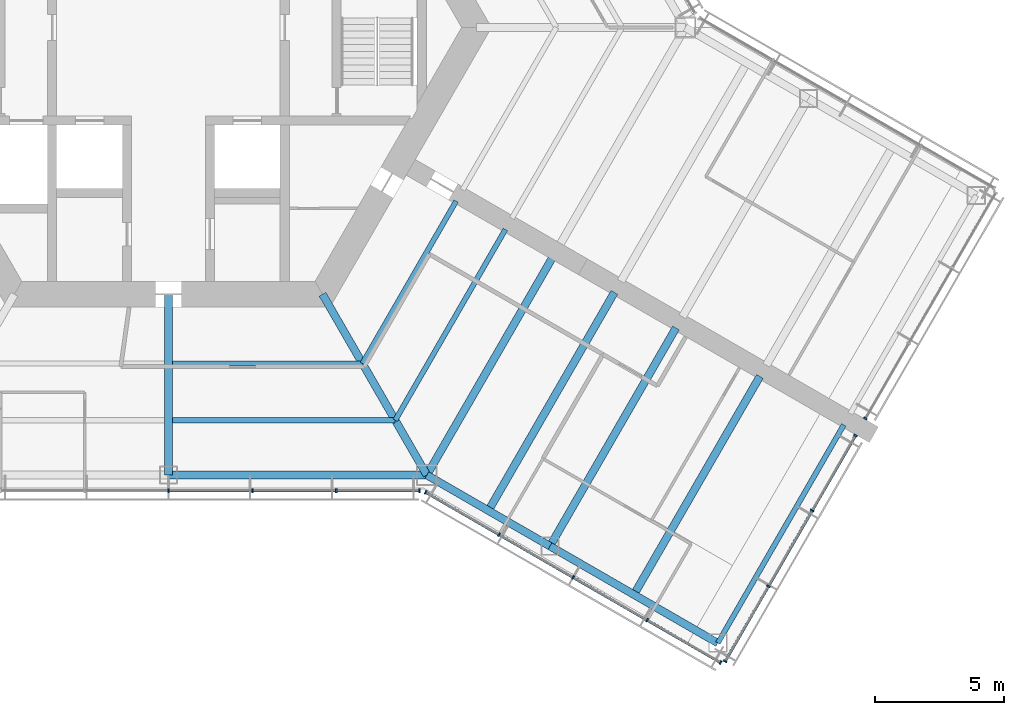
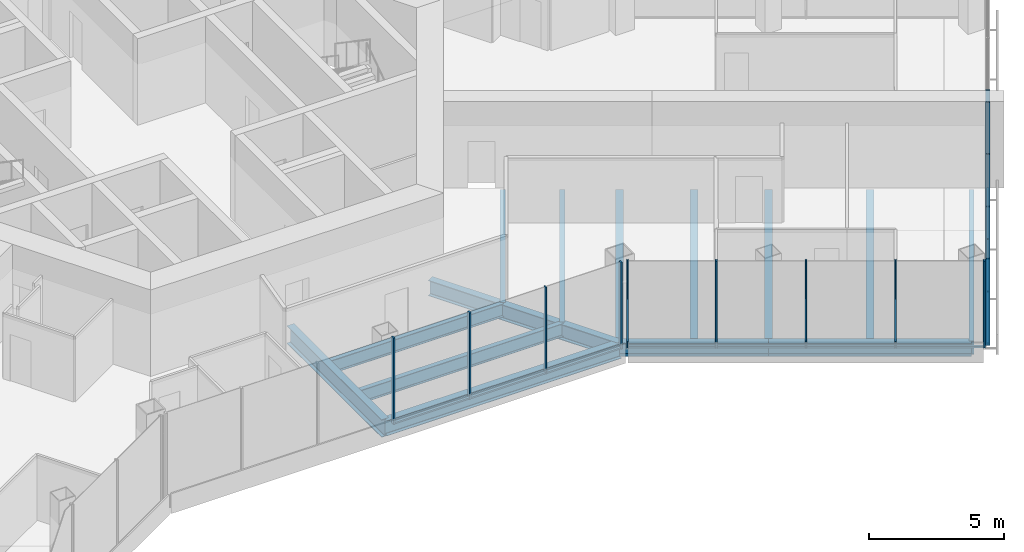
# One storey, part 5 of 18: 24 members, 14 beams, 4 elements without a shape of their own.
"""IFC4 building model written with IfcOpenShell, lengths in metres."""

from ifc_helpers import new_model, si_unit, direction, frame, origin, origin_2d, place, context, subcontext, project, spatial, rectangle, i_section, extrude, material, material_profile, profile_set, type_object, element, aggregate, save


model = new_model("IFC4")

# Units and contexts
model_context = context("Model", 3, precision=1e-05, world=origin(), true_north=direction((0.0, 1.0)))
body_context = subcontext(model_context, "Body", "Model", "MODEL_VIEW")
ifc_project = project(units=[si_unit("LENGTHUNIT", "METRE"), si_unit("AREAUNIT", "SQUARE_METRE"), si_unit("VOLUMEUNIT", "CUBIC_METRE"), si_unit("PLANEANGLEUNIT", "RADIAN"), si_unit("MASSUNIT", "GRAM", prefix="KILO")], contexts=[model_context])

# Site, building, storey
site_placement = place(None, origin())
site = spatial("IfcSite", under=ifc_project, at=site_placement, CompositionType="ELEMENT")
building_placement = place(site_placement, origin())
building = spatial("IfcBuilding", under=site, at=building_placement, Name="Kasaneha Research Tower", CompositionType="ELEMENT")
storey_placement = place(building_placement, frame((0.0, 0.0, 195.5)))
storey = spatial("IfcBuildingStorey", under=building, at=storey_placement, Name="L49", CompositionType="ELEMENT", Elevation=195.5)

# Beams
ifc_material_1 = material(Name="Steel SN490B", Category="steel")
ifc_material_profile_1 = material_profile(ifc_material_1, i_section(OverallWidth=0.199951171875, OverallDepth=0.60009765625, WebThickness=0.010986328125, FlangeThickness=0.01708984375, FilletRadius=0.012939453125, at=origin_2d()), Name="H-600x200x11x17")
ifc_profile_set_1 = profile_set([ifc_material_profile_1], Name="Steel SN490B")
beam_type_1 = type_object("IfcBeamType", Name="B1-3 secondary beam H-600x200x11x17", PredefinedType="JOIST", material=ifc_profile_set_1)
beam_1_placement = place(storey_placement, frame((7.505615234375, -13.0, -0.449951171875), z_axis=(-1.0, 0.0, 0.0), x_axis=(0.0, -1.0, 0.0)))
element("IfcBeam", 1, at=beam_1_placement, inside=storey, type_object=beam_type_1, Name="Secondary beam RS270R1 L49", PredefinedType="JOIST", context=body_context, shape_type="SweptSolid", body=[
    extrude(i_section(OverallWidth=0.199951171875, OverallDepth=0.60009765625, WebThickness=0.010986328125, FlangeThickness=0.01708984375, FilletRadius=0.012939453125, at=origin_2d()), origin(), (0.0, 0.0, 1.0), 7.355712890625),
])
beam_2_placement = place(storey_placement, frame((8.775634765625, -15.199951171875, -0.449951171875), z_axis=(-1.0, 0.0, 0.0), x_axis=(0.0, -1.0, 0.0)))
element("IfcBeam", 2, at=beam_2_placement, inside=storey, type_object=beam_type_1, Name="Secondary beam RS270R2 L49", PredefinedType="JOIST", context=body_context, shape_type="SweptSolid", body=[
    extrude(i_section(OverallWidth=0.199951171875, OverallDepth=0.60009765625, WebThickness=0.010986328125, FlangeThickness=0.01708984375, FilletRadius=0.012939453125, at=origin_2d()), origin(), (0.0, 0.0, 1.0), 8.625732421875),
])
beam_3_placement = place(storey_placement, frame((7.505615234375, -13.0, -0.449951171875), z_axis=(0.499993340521, 0.866029248602, 0.0), x_axis=(-0.866029248602, 0.499993340521, 0.0)))
element("IfcBeam", 3, at=beam_3_placement, inside=storey, type_object=beam_type_1, Name="Secondary beam RS330L1 L49", PredefinedType="JOIST", context=body_context, shape_type="SweptSolid", body=[
    extrude(i_section(OverallWidth=0.199951171875, OverallDepth=0.60009765625, WebThickness=0.010986328125, FlangeThickness=0.01708984375, FilletRadius=0.012939453125, at=origin_2d()), origin(), (0.0, 0.0, 1.0), 7.25537109375),
])
beam_4_placement = place(storey_placement, frame((8.775634765625, -15.199951171875, -0.449951171875), z_axis=(0.500004205306, 0.866022975836, 0.0), x_axis=(-0.866022975836, 0.500004205306, 0.0)))
element("IfcBeam", 4, at=beam_4_placement, inside=storey, type_object=beam_type_1, Name="Secondary beam RS330L2 L49", PredefinedType="JOIST", context=body_context, shape_type="SweptSolid", body=[
    extrude(i_section(OverallWidth=0.199951171875, OverallDepth=0.60009765625, WebThickness=0.010986328125, FlangeThickness=0.01708984375, FilletRadius=0.012939453125, at=origin_2d()), origin(), (0.0, 0.0, 1.0), 8.52587890625),
])
ifc_material_2 = material(Name="Steel SN490B", Category="steel")
ifc_material_profile_2 = material_profile(ifc_material_2, i_section(OverallWidth=0.300048828125, OverallDepth=0.58203125, WebThickness=0.011962890625, FlangeThickness=0.01708984375, FilletRadius=0.012939453125, at=origin_2d()), Name="H-582x300x12x17")
ifc_profile_set_2 = profile_set([ifc_material_profile_2], Name="Steel SN490B")
beam_type_2 = type_object("IfcBeamType", Name="B2-3 secondary beam H-582x300x12x17", PredefinedType="JOIST", material=ifc_profile_set_2)
for number, where, z_axis, x_axis, name in (
    (5, (12.381591796875, -18.695556640625, -0.44091796875), (0.499995560238, 0.866027967067, 0.0), (-0.866027967067, 0.499995560238, 0.0), "Secondary beam WBCP1 L49"),
    (6, (18.0107421875, -21.945556640625, -0.44091796875), (0.499995560238, 0.866027967067, 0.0), (-0.866027967067, 0.499995560238, 0.0), "Secondary beam WBCP2 L49"),
):
    element("IfcBeam", number, at=place(storey_placement, frame(where, z_axis=z_axis, x_axis=x_axis)), inside=storey, type_object=beam_type_2, Name=name, PredefinedType="JOIST", context=body_context, shape_type="SweptSolid", body=[
        extrude(i_section(OverallWidth=0.300048828125, OverallDepth=0.58203125, WebThickness=0.011962890625, FlangeThickness=0.01708984375, FilletRadius=0.012939453125, at=origin_2d()), origin(), (0.0, 0.0, 1.0), 9.75),
    ])

# Curtain wall, members
ifc_material_3 = material(Name="Glass and aluminium", Category="aluminium")
curtain_wall_type = type_object("IfcCurtainWallType", Name="Mid-rise office curtain wall", PredefinedType="USERDEFINED", material=ifc_material_3)
curtain_wall_1_placement = place(storey_placement, origin())
curtain_wall_1 = element("IfcCurtainWall", 7, at=curtain_wall_1_placement, inside=storey, type_object=curtain_wall_type, Name="CW-O2 L49 run 01a", ObjectType="UNITISED CURTAIN WALL", PredefinedType="USERDEFINED")
ifc_material_4 = material(Name="Aluminium 6063-T6", Category="aluminium")
ifc_material_profile_3 = material_profile(ifc_material_4, rectangle(XDim=0.06005859375, YDim=0.14990234375, at=origin_2d()), Name="CW-O2 mullion 60x150")
ifc_profile_set_3 = profile_set([ifc_material_profile_3], Name="Aluminium 6063-T6")
member_type_1 = type_object("IfcMemberType", Name="CW-O2 mullion", PredefinedType="MULLION", material=ifc_profile_set_3)
member_1_placement = place(storey_placement, frame((0.0, -17.92041015625, 0.0), z_axis=(0.0, 0.0, 1.0), x_axis=(1.0, 0.0, 0.0)))
member_1 = element("IfcMember", 8, at=member_1_placement, type_object=member_type_1, Name="CW-O2 mullion 4", PredefinedType="MULLION", context=body_context, shape_type="SweptSolid", body=[
    extrude(rectangle(XDim=0.06005859375, YDim=0.14990234375, at=origin_2d()), origin(), (0.0, 0.0, 1.0), 3.89990234375),
])
member_2_placement = place(storey_placement, frame((3.246337890625, -17.92041015625, 0.0), z_axis=(0.0, 0.0, 1.0), x_axis=(1.0, 0.0, 0.0)))
member_2 = element("IfcMember", 9, at=member_2_placement, type_object=member_type_1, Name="CW-O2 mullion 5", PredefinedType="MULLION", context=body_context, shape_type="SweptSolid", body=[
    extrude(rectangle(XDim=0.06005859375, YDim=0.14990234375, at=origin_2d()), origin(), (0.0, 0.0, 1.0), 3.89990234375),
])
member_3_placement = place(storey_placement, frame((6.492919921875, -17.92041015625, 0.0), z_axis=(0.0, 0.0, 1.0), x_axis=(1.0, 0.0, 0.0)))
member_3 = element("IfcMember", 10, at=member_3_placement, type_object=member_type_1, Name="CW-O2 mullion 6", PredefinedType="MULLION", context=body_context, shape_type="SweptSolid", body=[
    extrude(rectangle(XDim=0.06005859375, YDim=0.14990234375, at=origin_2d()), origin(), (0.0, 0.0, 1.0), 3.89990234375),
])
member_4_placement = place(storey_placement, frame((9.709228515625, -17.92041015625, 0.0), z_axis=(0.0, 0.0, 1.0), x_axis=(1.0, 0.0, 0.0)))
member_4 = element("IfcMember", 11, at=member_4_placement, type_object=member_type_1, Name="CW-O2 mullion 7", PredefinedType="MULLION", context=body_context, shape_type="SweptSolid", body=[
    extrude(rectangle(XDim=0.06005859375, YDim=0.14990234375, at=origin_2d()), origin(), (0.0, 0.0, 1.0), 3.89990234375),
])

curtain_wall_2_placement = place(storey_placement, origin())
curtain_wall_2 = element("IfcCurtainWall", 12, at=curtain_wall_2_placement, inside=storey, type_object=curtain_wall_type, Name="CW-O2 L49 run 02a", ObjectType="UNITISED CURTAIN WALL", PredefinedType="USERDEFINED")
member_5_placement = place(storey_placement, frame((9.951904296875, -17.985595703125, 0.0), z_axis=(0.0, 0.0, 1.0), x_axis=(0.866025411464, -0.499999986699, 0.0)))
member_5 = element("IfcMember", 13, at=member_5_placement, type_object=member_type_1, Name="CW-O2 mullion 1", PredefinedType="MULLION", context=body_context, shape_type="SweptSolid", body=[
    extrude(rectangle(XDim=0.06005859375, YDim=0.14990234375, at=origin_2d()), origin(), (0.0, 0.0, 1.0), 3.89990234375),
])
member_6_placement = place(storey_placement, frame((12.792236328125, -19.62548828125, 0.0), z_axis=(0.0, 0.0, 1.0), x_axis=(0.866025411464, -0.499999986699, 0.0)))
member_6 = element("IfcMember", 14, at=member_6_placement, type_object=member_type_1, Name="CW-O2 mullion 2", PredefinedType="MULLION", context=body_context, shape_type="SweptSolid", body=[
    extrude(rectangle(XDim=0.06005859375, YDim=0.14990234375, at=origin_2d()), origin(), (0.0, 0.0, 1.0), 3.89990234375),
])
member_7_placement = place(storey_placement, frame((15.65869140625, -21.2802734375, 0.0), z_axis=(0.0, 0.0, 1.0), x_axis=(0.866025411464, -0.499999986699, 0.0)))
member_7 = element("IfcMember", 15, at=member_7_placement, type_object=member_type_1, Name="CW-O2 mullion 3", PredefinedType="MULLION", context=body_context, shape_type="SweptSolid", body=[
    extrude(rectangle(XDim=0.06005859375, YDim=0.14990234375, at=origin_2d()), origin(), (0.0, 0.0, 1.0), 3.89990234375),
])
member_8_placement = place(storey_placement, frame((18.52490234375, -22.935302734375, 0.0), z_axis=(0.0, 0.0, 1.0), x_axis=(0.866025411464, -0.499999986699, 0.0)))
member_8 = element("IfcMember", 16, at=member_8_placement, type_object=member_type_1, Name="CW-O2 mullion 4", PredefinedType="MULLION", context=body_context, shape_type="SweptSolid", body=[
    extrude(rectangle(XDim=0.06005859375, YDim=0.14990234375, at=origin_2d()), origin(), (0.0, 0.0, 1.0), 3.89990234375),
])
member_9_placement = place(storey_placement, frame((21.365478515625, -24.5751953125, 0.0), z_axis=(0.0, 0.0, 1.0), x_axis=(0.866025411464, -0.499999986699, 0.0)))
member_9 = element("IfcMember", 17, at=member_9_placement, type_object=member_type_1, Name="CW-O2 mullion 5", PredefinedType="MULLION", context=body_context, shape_type="SweptSolid", body=[
    extrude(rectangle(XDim=0.06005859375, YDim=0.14990234375, at=origin_2d()), origin(), (0.0, 0.0, 1.0), 3.89990234375),
])

curtain_wall_3_placement = place(storey_placement, origin())
curtain_wall_3 = element("IfcCurtainWall", 18, at=curtain_wall_3_placement, inside=storey, type_object=curtain_wall_type, Name="CW-O2 L49 run 03a", ObjectType="UNITISED CURTAIN WALL", PredefinedType="USERDEFINED")
member_10_placement = place(storey_placement, frame((21.54296875, -24.527587890625, 0.0), z_axis=(0.0, 0.0, 1.0), x_axis=(0.500000011442, 0.866025397178, 0.0)))
member_10 = element("IfcMember", 19, at=member_10_placement, type_object=member_type_1, Name="CW-O2 mullion 1", PredefinedType="MULLION", context=body_context, shape_type="SweptSolid", body=[
    extrude(rectangle(XDim=0.06005859375, YDim=0.14990234375, at=origin_2d()), origin(), (0.0, 0.0, 1.0), 3.89990234375),
])
member_11_placement = place(storey_placement, frame((23.2197265625, -21.62353515625, 0.0), z_axis=(0.0, 0.0, 1.0), x_axis=(0.500000011442, 0.866025397178, 0.0)))
member_11 = element("IfcMember", 20, at=member_11_placement, type_object=member_type_1, Name="CW-O2 mullion 2", PredefinedType="MULLION", context=body_context, shape_type="SweptSolid", body=[
    extrude(rectangle(XDim=0.06005859375, YDim=0.14990234375, at=origin_2d()), origin(), (0.0, 0.0, 1.0), 3.89990234375),
])
member_12_placement = place(storey_placement, frame((24.911376953125, -18.693359375, 0.0), z_axis=(0.0, 0.0, 1.0), x_axis=(0.500000011442, 0.866025397178, 0.0)))
member_12 = element("IfcMember", 21, at=member_12_placement, type_object=member_type_1, Name="CW-O2 mullion 3", PredefinedType="MULLION", context=body_context, shape_type="SweptSolid", body=[
    extrude(rectangle(XDim=0.06005859375, YDim=0.14990234375, at=origin_2d()), origin(), (0.0, 0.0, 1.0), 3.89990234375),
])
member_13_placement = place(storey_placement, frame((26.587890625, -15.789306640625, 0.0), z_axis=(0.0, 0.0, 1.0), x_axis=(0.500000011442, 0.866025397178, 0.0)))
member_13 = element("IfcMember", 22, at=member_13_placement, type_object=member_type_1, Name="CW-O2 mullion 4", PredefinedType="MULLION", context=body_context, shape_type="SweptSolid", body=[
    extrude(rectangle(XDim=0.06005859375, YDim=0.14990234375, at=origin_2d()), origin(), (0.0, 0.0, 1.0), 3.89990234375),
])

# Curtain wall, member
curtain_wall_4_placement = place(storey_placement, origin())
curtain_wall_4 = element("IfcCurtainWall", 23, at=curtain_wall_4_placement, inside=storey, type_object=curtain_wall_type, Name="CW-O2 L49 run 04a", ObjectType="UNITISED CURTAIN WALL", PredefinedType="USERDEFINED")
member_14_placement = place(storey_placement, frame((26.968017578125, -15.131103515625, 0.0), z_axis=(0.0, 0.0, 1.0), x_axis=(0.500000011442, 0.866025397178, 0.0)))
member_14 = element("IfcMember", 24, at=member_14_placement, type_object=member_type_1, Name="CW-O2 mullion 1", PredefinedType="MULLION", context=body_context, shape_type="SweptSolid", body=[
    extrude(rectangle(XDim=0.06005859375, YDim=0.14990234375, at=origin_2d()), origin(), (0.0, 0.0, 1.0), 3.89990234375),
])
aggregate(curtain_wall_4, [member_14])

# Member
ifc_material_5 = material(Name="Aluminium 6063-T6", Category="aluminium")
ifc_material_profile_4 = material_profile(ifc_material_5, rectangle(XDim=0.110107421875, YDim=0.06005859375, at=origin_2d()), Name="CW-O2 transom 110x60")
ifc_profile_set_4 = profile_set([ifc_material_profile_4], Name="Aluminium 6063-T6")
member_type_2 = type_object("IfcMemberType", Name="CW-O2 transom", PredefinedType="USERDEFINED", material=ifc_profile_set_4)
member_15_placement = place(storey_placement, frame((0.030029296875, -17.92041015625, 0.030029296875), z_axis=(1.0, 0.0, 0.0), x_axis=(0.0, 1.0, 0.0)))
member_15 = element("IfcMember", 25, at=member_15_placement, type_object=member_type_2, Name="CW-O2 transom 4", ObjectType="TRANSOM", PredefinedType="USERDEFINED", context=body_context, shape_type="SweptSolid", body=[
    extrude(rectangle(XDim=0.110107421875, YDim=0.06005859375, at=origin_2d()), origin(), (0.0, 0.0, 1.0), 3.186279296875),
])

member_16_placement = place(storey_placement, frame((3.2763671875, -17.92041015625, 0.030029296875), z_axis=(1.0, 0.0, 0.0), x_axis=(0.0, 1.0, 0.0)))
member_16 = element("IfcMember", 26, at=member_16_placement, type_object=member_type_2, Name="CW-O2 transom 5", ObjectType="TRANSOM", PredefinedType="USERDEFINED", context=body_context, shape_type="SweptSolid", body=[
    extrude(rectangle(XDim=0.110107421875, YDim=0.06005859375, at=origin_2d()), origin(), (0.0, 0.0, 1.0), 3.1865234375),
])

member_17_placement = place(storey_placement, frame((6.522705078125, -17.92041015625, 0.030029296875), z_axis=(1.0, 0.0, 0.0), x_axis=(0.0, 1.0, 0.0)))
member_17 = element("IfcMember", 27, at=member_17_placement, type_object=member_type_2, Name="CW-O2 transom 6", ObjectType="TRANSOM", PredefinedType="USERDEFINED", context=body_context, shape_type="SweptSolid", body=[
    extrude(rectangle(XDim=0.110107421875, YDim=0.06005859375, at=origin_2d()), origin(), (0.0, 0.0, 1.0), 3.156494140625),
])

aggregate(curtain_wall_1, [member_1, member_2, member_3, member_4, member_15, member_16, member_17])

member_18_placement = place(storey_placement, frame((9.977783203125, -18.00048828125, 0.030029296875), z_axis=(0.866022692473, -0.500004696101, 0.0), x_axis=(0.500004696101, 0.866022692473, 0.0)))
member_18 = element("IfcMember", 28, at=member_18_placement, type_object=member_type_2, Name="CW-O2 transom 1", ObjectType="TRANSOM", PredefinedType="USERDEFINED", context=body_context, shape_type="SweptSolid", body=[
    extrude(rectangle(XDim=0.110107421875, YDim=0.06005859375, at=origin_2d()), origin(), (0.0, 0.0, 1.0), 3.2197265625),
])

member_19_placement = place(storey_placement, frame((12.818115234375, -19.640380859375, 0.030029296875), z_axis=(0.866015446554, -0.500017246033, 0.0), x_axis=(0.500017246033, 0.866015446554, 0.0)))
member_19 = element("IfcMember", 29, at=member_19_placement, type_object=member_type_2, Name="CW-O2 transom 2", ObjectType="TRANSOM", PredefinedType="USERDEFINED", context=body_context, shape_type="SweptSolid", body=[
    extrude(rectangle(XDim=0.110107421875, YDim=0.06005859375, at=origin_2d()), origin(), (0.0, 0.0, 1.0), 3.25),
])

member_20_placement = place(storey_placement, frame((15.6845703125, -21.29541015625, 0.030029296875), z_axis=(0.86604797581, -0.499960902066, 0.0), x_axis=(0.499960902066, 0.86604797581, 0.0)))
member_20 = element("IfcMember", 30, at=member_20_placement, type_object=member_type_2, Name="CW-O2 transom 3", ObjectType="TRANSOM", PredefinedType="USERDEFINED", context=body_context, shape_type="SweptSolid", body=[
    extrude(rectangle(XDim=0.110107421875, YDim=0.06005859375, at=origin_2d()), origin(), (0.0, 0.0, 1.0), 3.249755859375),
])

member_21_placement = place(storey_placement, frame((18.551025390625, -22.9501953125, 0.030029296875), z_axis=(0.866022692473, -0.500004696101, 0.0), x_axis=(0.500004696101, 0.866022692473, 0.0)))
member_21 = element("IfcMember", 31, at=member_21_placement, type_object=member_type_2, Name="CW-O2 transom 4", ObjectType="TRANSOM", PredefinedType="USERDEFINED", context=body_context, shape_type="SweptSolid", body=[
    extrude(rectangle(XDim=0.110107421875, YDim=0.06005859375, at=origin_2d()), origin(), (0.0, 0.0, 1.0), 3.2197265625),
])

aggregate(curtain_wall_2, [member_5, member_6, member_7, member_8, member_9, member_18, member_19, member_20, member_21])

member_22_placement = place(storey_placement, frame((21.557861328125, -24.50146484375, 0.030029296875), z_axis=(0.500021914551, 0.866012751043, 0.0), x_axis=(-0.866012751043, 0.500021914551, 0.0)))
member_22 = element("IfcMember", 32, at=member_22_placement, type_object=member_type_2, Name="CW-O2 transom 1", ObjectType="TRANSOM", PredefinedType="USERDEFINED", context=body_context, shape_type="SweptSolid", body=[
    extrude(rectangle(XDim=0.110107421875, YDim=0.06005859375, at=origin_2d()), origin(), (0.0, 0.0, 1.0), 3.293212890625),
])

member_23_placement = place(storey_placement, frame((23.234619140625, -21.597412109375, 0.030029296875), z_axis=(0.500010745865, 0.866019199568, 0.0), x_axis=(-0.866019199568, 0.500010745865, 0.0)))
member_23 = element("IfcMember", 33, at=member_23_placement, type_object=member_type_2, Name="CW-O2 transom 2", ObjectType="TRANSOM", PredefinedType="USERDEFINED", context=body_context, shape_type="SweptSolid", body=[
    extrude(rectangle(XDim=0.110107421875, YDim=0.06005859375, at=origin_2d()), origin(), (0.0, 0.0, 1.0), 3.3232421875),
])

member_24_placement = place(storey_placement, frame((24.92626953125, -18.66748046875, 0.030029296875), z_axis=(0.500021914551, 0.866012751043, 0.0), x_axis=(-0.866012751043, 0.500021914551, 0.0)))
member_24 = element("IfcMember", 34, at=member_24_placement, type_object=member_type_2, Name="CW-O2 transom 3", ObjectType="TRANSOM", PredefinedType="USERDEFINED", context=body_context, shape_type="SweptSolid", body=[
    extrude(rectangle(XDim=0.110107421875, YDim=0.06005859375, at=origin_2d()), origin(), (0.0, 0.0, 1.0), 3.293212890625),
])

aggregate(curtain_wall_3, [member_10, member_11, member_12, member_13, member_22, member_23, member_24])

# Beams
ifc_material_6 = material(Name="Steel SN490B", Category="steel")
ifc_material_profile_5 = material_profile(ifc_material_6, i_section(OverallWidth=0.300048828125, OverallDepth=0.699951171875, WebThickness=0.012939453125, FlangeThickness=0.02392578125, FilletRadius=0.01806640625, at=origin_2d()), Name="H-700x300x13x24")
ifc_profile_set_5 = profile_set([ifc_material_profile_5], Name="Steel SN490B")
beam_type_3 = type_object("IfcBeamType", Name="G1-3 radial girder H-700x300x13x24", PredefinedType="BEAM", material=ifc_profile_set_5)
beam_5_placement = place(storey_placement, frame((5.961181640625, -10.324951171875, -0.5), z_axis=(0.49999105496, -0.866030568144, 0.0), x_axis=(0.866030568144, 0.49999105496, 0.0)))
element("IfcBeam", 35, at=beam_5_placement, inside=storey, type_object=beam_type_3, Name="Radial girder RV300 L49", PredefinedType="BEAM", context=body_context, shape_type="SweptSolid", body=[
    extrude(i_section(OverallWidth=0.300048828125, OverallDepth=0.699951171875, WebThickness=0.012939453125, FlangeThickness=0.02392578125, FilletRadius=0.01806640625, at=origin_2d()), origin(), (0.0, 0.0, 1.0), 8.077880859375),
])
ifc_material_7 = material(Name="Steel SN490B", Category="steel")
ifc_material_profile_6 = material_profile(ifc_material_7, i_section(OverallWidth=0.300048828125, OverallDepth=0.800048828125, WebThickness=0.013916015625, FlangeThickness=0.02587890625, FilletRadius=0.01806640625, at=origin_2d()), Name="H-800x300x14x26")
ifc_profile_set_6 = profile_set([ifc_material_profile_6], Name="Steel SN490B")
beam_type_4 = type_object("IfcBeamType", Name="G2-3 radial girder H-800x300x14x26", PredefinedType="BEAM", material=ifc_profile_set_6)
beam_6_placement = place(storey_placement, frame((0.0, -10.324951171875, -0.550048828125), z_axis=(0.0, -1.0, 0.0), x_axis=(1.0, 0.0, 0.0)))
element("IfcBeam", 36, at=beam_6_placement, inside=storey, type_object=beam_type_4, Name="Radial girder RM270 L49", PredefinedType="BEAM", context=body_context, shape_type="SweptSolid", body=[
    extrude(i_section(OverallWidth=0.300048828125, OverallDepth=0.800048828125, WebThickness=0.013916015625, FlangeThickness=0.02587890625, FilletRadius=0.01806640625, at=origin_2d()), origin(), (0.0, 0.0, 1.0), 6.99560546875),
])
ifc_material_8 = material(Name="Steel SN490B", Category="steel")
ifc_material_profile_7 = material_profile(ifc_material_8, i_section(OverallWidth=0.300048828125, OverallDepth=0.69189453125, WebThickness=0.012939453125, FlangeThickness=0.02001953125, FilletRadius=0.01806640625, at=origin_2d()), Name="H-692x300x13x20")
ifc_profile_set_7 = profile_set([ifc_material_profile_7], Name="Steel SN490B")
beam_type_5 = type_object("IfcBeamType", Name="G3-3 plate edge girder H-692x300x13x20", PredefinedType="BEAM", material=ifc_profile_set_7)
beam_7_placement = place(storey_placement, frame((10.0, -17.320556640625, -0.49609375), z_axis=(0.499995560238, 0.866027967067, 0.0), x_axis=(-0.866027967067, 0.499995560238, 0.0)))
element("IfcBeam", 37, at=beam_7_placement, inside=storey, type_object=beam_type_5, Name="Plate edge girder PECP L49", PredefinedType="BEAM", context=body_context, shape_type="SweptSolid", body=[
    extrude(i_section(OverallWidth=0.300048828125, OverallDepth=0.69189453125, WebThickness=0.012939453125, FlangeThickness=0.02001953125, FilletRadius=0.01806640625, at=origin_2d()), origin(), (0.0, 0.0, 1.0), 9.75),
])
ifc_material_9 = material(Name="Steel SN490B", Category="steel")
ifc_material_profile_8 = material_profile(ifc_material_9, i_section(OverallWidth=0.300048828125, OverallDepth=0.699951171875, WebThickness=0.012939453125, FlangeThickness=0.02392578125, FilletRadius=0.01806640625, at=origin_2d()), Name="H-700x300x13x24")
ifc_profile_set_8 = profile_set([ifc_material_profile_8], Name="Steel SN490B")
beam_type_6 = type_object("IfcBeamType", Name="G4-3 wing girder H-700x300x13x24", PredefinedType="BEAM", material=ifc_profile_set_8)
beam_8_placement = place(storey_placement, frame((14.76318359375, -20.070556640625, -0.5), z_axis=(0.499995560238, 0.866027967067, 0.0), x_axis=(-0.866027967067, 0.499995560238, 0.0)))
element("IfcBeam", 38, at=beam_8_placement, inside=storey, type_object=beam_type_6, Name="Wing girder WGCP L49", PredefinedType="BEAM", context=body_context, shape_type="SweptSolid", body=[
    extrude(i_section(OverallWidth=0.300048828125, OverallDepth=0.699951171875, WebThickness=0.012939453125, FlangeThickness=0.02392578125, FilletRadius=0.01806640625, at=origin_2d()), origin(), (0.0, 0.0, 1.0), 9.75),
])
ifc_material_10 = material(Name="Steel SN490B", Category="steel")
ifc_material_profile_9 = material_profile(ifc_material_10, i_section(OverallWidth=0.300048828125, OverallDepth=0.69189453125, WebThickness=0.012939453125, FlangeThickness=0.02001953125, FilletRadius=0.01806640625, at=origin_2d()), Name="H-692x300x13x20")
ifc_profile_set_9 = profile_set([ifc_material_profile_9], Name="Steel SN490B")
beam_type_7 = type_object("IfcBeamType", Name="SB1-3 spandrel beam H-692x300x13x20", PredefinedType="SPANDREL", material=ifc_profile_set_9)
beam_9_placement = place(storey_placement, frame((10.0, -17.320556640625, -0.49609375), z_axis=(-1.0, 0.0, 0.0), x_axis=(0.0, -1.0, 0.0)))
element("IfcBeam", 39, at=beam_9_placement, inside=storey, type_object=beam_type_7, Name="Spandrel beam SR270R L49", PredefinedType="SPANDREL", context=body_context, shape_type="SweptSolid", body=[
    extrude(i_section(OverallWidth=0.300048828125, OverallDepth=0.69189453125, WebThickness=0.012939453125, FlangeThickness=0.02001953125, FilletRadius=0.01806640625, at=origin_2d()), origin(), (0.0, 0.0, 1.0), 10.0),
])
ifc_material_11 = material(Name="Steel SN490B", Category="steel")
ifc_material_profile_10 = material_profile(ifc_material_11, i_section(OverallWidth=0.300048828125, OverallDepth=0.58203125, WebThickness=0.011962890625, FlangeThickness=0.01708984375, FilletRadius=0.012939453125, at=origin_2d()), Name="H-582x300x12x17")
ifc_profile_set_10 = profile_set([ifc_material_profile_10], Name="Steel SN490B")
beam_type_8 = type_object("IfcBeamType", Name="SB2-3 spandrel beam H-582x300x12x17", PredefinedType="SPANDREL", material=ifc_profile_set_10)
beam_10_placement = place(storey_placement, frame((10.0, -17.320556640625, -0.44091796875), z_axis=(0.866027397988, -0.499996545922, 0.0), x_axis=(0.499996545922, 0.866027397988, 0.0)))
element("IfcBeam", 40, at=beam_10_placement, inside=storey, type_object=beam_type_8, Name="Spandrel beam WSCP1 L49", PredefinedType="SPANDREL", context=body_context, shape_type="SweptSolid", body=[
    extrude(i_section(OverallWidth=0.300048828125, OverallDepth=0.58203125, WebThickness=0.011962890625, FlangeThickness=0.01708984375, FilletRadius=0.012939453125, at=origin_2d()), origin(), (0.0, 0.0, 1.0), 5.5),
])
beam_11_placement = place(storey_placement, frame((14.76318359375, -20.070556640625, -0.44091796875), z_axis=(0.866022959057, -0.500004234368, 0.0), x_axis=(0.500004234368, 0.866022959057, 0.0)))
element("IfcBeam", 41, at=beam_11_placement, inside=storey, type_object=beam_type_8, Name="Spandrel beam WSCP2 L49", PredefinedType="SPANDREL", context=body_context, shape_type="SweptSolid", body=[
    extrude(i_section(OverallWidth=0.300048828125, OverallDepth=0.58203125, WebThickness=0.011962890625, FlangeThickness=0.01708984375, FilletRadius=0.012939453125, at=origin_2d()), origin(), (0.0, 0.0, 1.0), 7.5),
])
ifc_material_12 = material(Name="Steel SN490B", Category="steel")
ifc_material_profile_11 = material_profile(ifc_material_12, i_section(OverallWidth=0.199951171875, OverallDepth=0.60009765625, WebThickness=0.010986328125, FlangeThickness=0.01708984375, FilletRadius=0.012939453125, at=origin_2d()), Name="H-600x200x11x17")
ifc_profile_set_11 = profile_set([ifc_material_profile_11], Name="Steel SN490B")
beam_type_9 = type_object("IfcBeamType", Name="SB3-3 spandrel beam H-600x200x11x17", PredefinedType="SPANDREL", material=ifc_profile_set_11)
beam_12_placement = place(storey_placement, frame((21.25830078125, -23.820556640625, -0.449951171875), z_axis=(0.499995560238, 0.866027967067, 0.0), x_axis=(-0.866027967067, 0.499995560238, 0.0)))
element("IfcBeam", 42, at=beam_12_placement, inside=storey, type_object=beam_type_9, Name="Spandrel beam WTCP L49", PredefinedType="SPANDREL", context=body_context, shape_type="SweptSolid", body=[
    extrude(i_section(OverallWidth=0.199951171875, OverallDepth=0.60009765625, WebThickness=0.010986328125, FlangeThickness=0.01708984375, FilletRadius=0.012939453125, at=origin_2d()), origin(), (0.0, 0.0, 1.0), 9.75),
])

save(model, "model.ifc")
